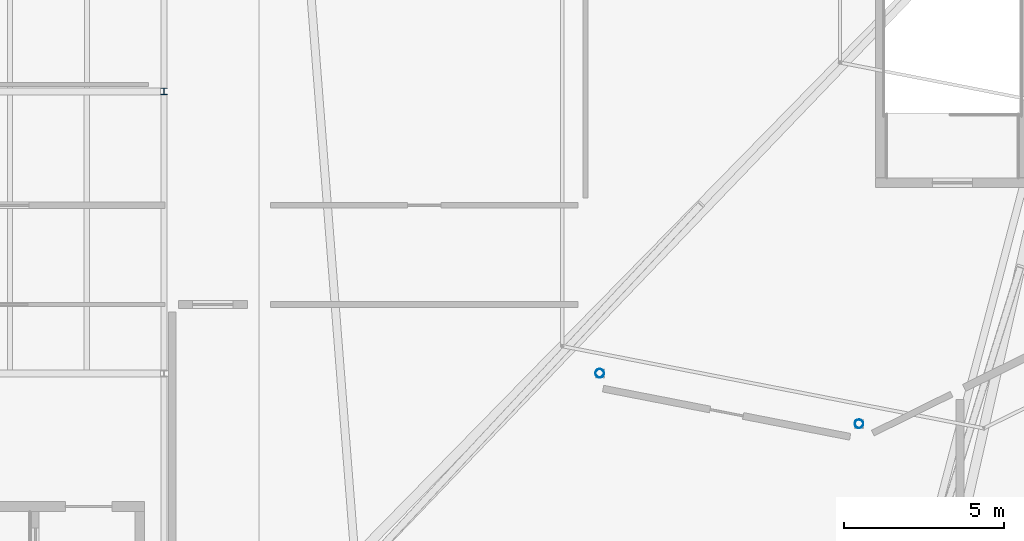
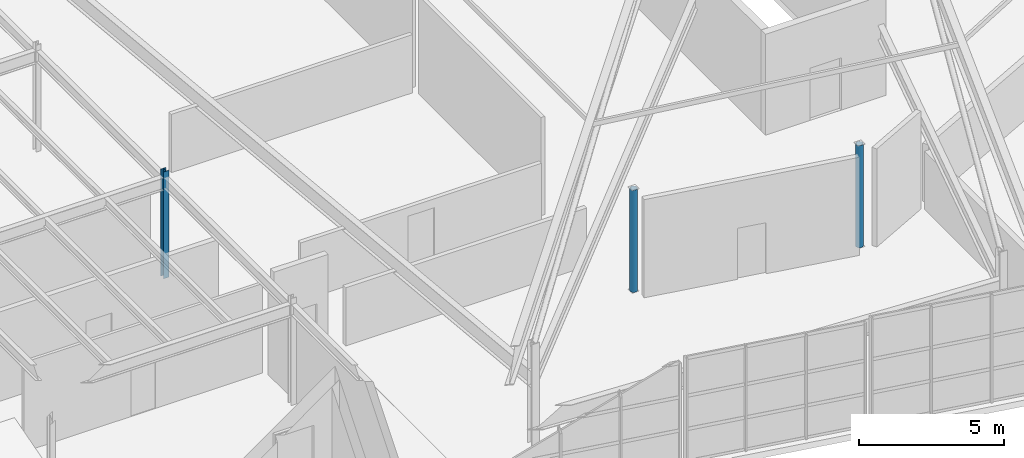
# One storey, part 6 of 50: 3 columns.
"""IFC4 building model written with IfcOpenShell, lengths in metres."""

from ifc_helpers import new_model, si_unit, direction, frame, origin, origin_2d, place, context, subcontext, project, spatial, hollow_circle, i_section, extrude, material, material_profile, profile_set, type_object, element, save


model = new_model("IFC4")

# Units and contexts
model_context = context("Model", 3, precision=1e-05, world=origin(), true_north=direction((0.0, 1.0)))
body_context = subcontext(model_context, "Body", "Model", "MODEL_VIEW")
ifc_project = project(units=[si_unit("LENGTHUNIT", "METRE"), si_unit("AREAUNIT", "SQUARE_METRE"), si_unit("VOLUMEUNIT", "CUBIC_METRE"), si_unit("PLANEANGLEUNIT", "RADIAN"), si_unit("MASSUNIT", "GRAM", prefix="KILO")], contexts=[model_context])

# Site, building, storey
site_placement = place(None, origin())
site = spatial("IfcSite", under=ifc_project, at=site_placement, CompositionType="ELEMENT")
building_placement = place(site_placement, origin())
building = spatial("IfcBuilding", under=site, at=building_placement, Name="Sarnbrook Museum", CompositionType="ELEMENT")
storey_placement = place(building_placement, frame((0.0, 0.0, 28.10009765625)))
storey = spatial("IfcBuildingStorey", under=building, at=storey_placement, Name="L05", CompositionType="ELEMENT", Elevation=28.10009765625)

# Columns
ifc_material_1 = material(Name="Structural Steel Hollow Section Grade C350L0 (AS/NZS 1163, fy = 350 MPa)", Category="steel")
ifc_material_profile_1 = material_profile(ifc_material_1, hollow_circle(Radius=0.136474609375, WallThickness=0.00927734375, at=origin_2d()), Name="273.1x9.3CHS")
ifc_profile_set_1 = profile_set([ifc_material_profile_1], Name="Structural Steel Hollow Section Grade C350L0 (AS/NZS 1163, fy = 350 MPa)")
column_type_1 = type_object("IfcColumnType", Name="COL-CHS273", PredefinedType="COLUMN", material=ifc_profile_set_1)
for number, where, z_axis, x_axis, name in (
    (1, (132.800048828125, 74.405029296875, 0.0), (0.0, 0.0, 1.0), (1.0, 0.0, 0.0), "Crystal Gallery Feature Column R2-1 L05"),
    (2, (140.88720703125, 72.828857421875, 0.0), (0.0, 0.0, 1.0), (1.0, 0.0, 0.0), "Crystal Gallery Feature Column R2-2 L05"),
):
    element("IfcColumn", number, at=place(storey_placement, frame(where, z_axis=z_axis, x_axis=x_axis)), inside=storey, type_object=column_type_1, Name=name, PredefinedType="COLUMN", context=body_context, shape_type="SweptSolid", body=[
        extrude(hollow_circle(Radius=0.136474609375, WallThickness=0.00927734375, at=origin_2d()), origin(), (0.0, 0.0, 1.0), 4.2998046875),
    ])
ifc_material_2 = material(Name="Structural Steel Grade 300PLUS (AS/NZS 3679.1, fy = 280 MPa for 17 < t <= 40 mm, 300 MPa for t <= 17 mm)", Category="steel")
ifc_material_profile_2 = material_profile(ifc_material_2, i_section(OverallWidth=0.205078125, OverallDepth=0.2099609375, WebThickness=0.00927734375, FlangeThickness=0.01416015625, FilletRadius=0.01025390625, at=origin_2d()), Name="200UC59.5")
ifc_profile_set_2 = profile_set([ifc_material_profile_2], Name="Structural Steel Grade 300PLUS (AS/NZS 3679.1, fy = 280 MPa for 17 < t <= 40 mm, 300 MPa for t <= 17 mm)")
column_type_2 = type_object("IfcColumnType", Name="COL-UC200", PredefinedType="COLUMN", material=ifc_profile_set_2)
column_placement = place(storey_placement, frame((119.199951171875, 83.199951171875, 0.0), z_axis=(0.0, 0.0, 1.0), x_axis=(1.0, 0.0, 0.0)))
element("IfcColumn", 3, at=column_placement, inside=storey, type_object=column_type_2, Name="Column 13-K L05", PredefinedType="COLUMN", context=body_context, shape_type="SweptSolid", body=[
    extrude(i_section(OverallWidth=0.205078125, OverallDepth=0.2099609375, WebThickness=0.00927734375, FlangeThickness=0.01416015625, FilletRadius=0.01025390625, at=origin_2d()), origin(), (0.0, 0.0, 1.0), 4.5),
])

save(model, "model.ifc")
